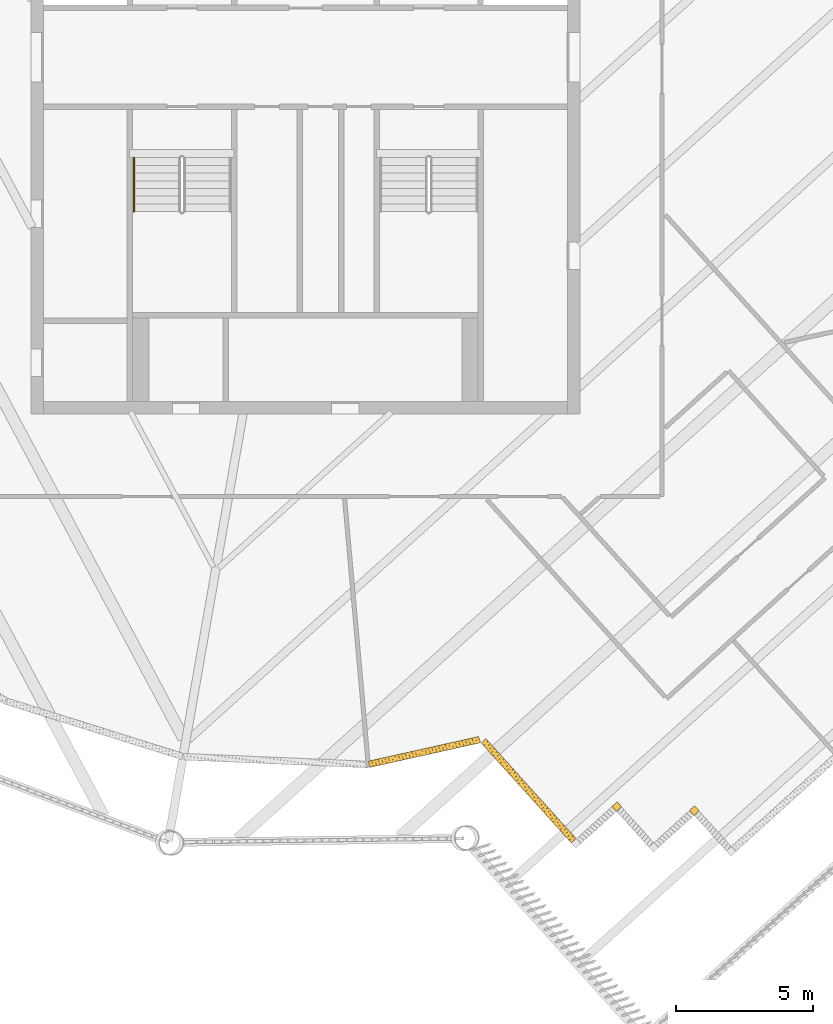
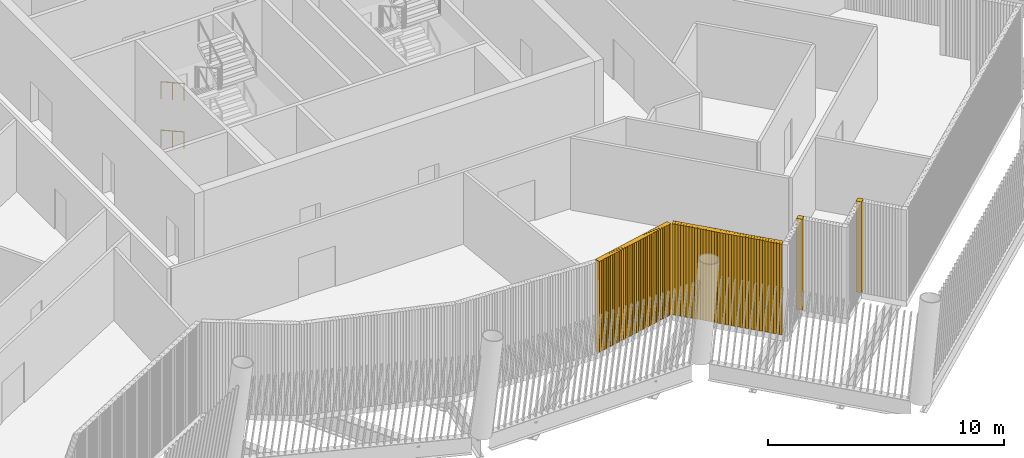
# One storey, part 12 of 21: 4 shading devices, 2 railings.
"""IFC4 building model written with IfcOpenShell, lengths in metres."""

from ifc_helpers import new_model, si_unit, direction, frame, frame_2d, origin, origin_2d, place, context, subcontext, project, spatial, rectangle, circle, composite_profile, extrude, material, type_object, element, save


model = new_model("IFC4")

# Units and contexts
model_context = context("Model", 3, precision=1e-05, world=origin(), true_north=direction((0.0, 1.0)))
body_context = subcontext(model_context, "Body", "Model", "MODEL_VIEW")
ifc_project = project(units=[si_unit("LENGTHUNIT", "METRE"), si_unit("AREAUNIT", "SQUARE_METRE"), si_unit("VOLUMEUNIT", "CUBIC_METRE"), si_unit("PLANEANGLEUNIT", "RADIAN"), si_unit("MASSUNIT", "GRAM", prefix="KILO")], contexts=[model_context])

# Site, building, storey
site_placement = place(None, origin())
site = spatial("IfcSite", under=ifc_project, at=site_placement, CompositionType="ELEMENT")
building_placement = place(site_placement, origin())
building = spatial("IfcBuilding", under=site, at=building_placement, Name="Tarsis Ring Headquarters", CompositionType="ELEMENT")
storey_placement = place(building_placement, frame((0.0, 0.0, 398.60009765625)))
storey = spatial("IfcBuildingStorey", under=building, at=storey_placement, Name="L94", CompositionType="ELEMENT", Elevation=398.60009765625)

# Railings
ifc_material_1 = material(Name="Steel S355", Category="steel")
railing_type = type_object("IfcRailingType", Name="Core stair handrail 900", PredefinedType="HANDRAIL", material=ifc_material_1)
for number, where, name in (
    (1, (-6.25, -3.659912109375, 0.15625), "L94 ST3 stair handrail 1"),
    (2, (-6.25, -3.659912109375, 2.65625), "L94 ST3 stair handrail 3"),
):
    element("IfcRailing", number, at=place(storey_placement, frame(where)), inside=storey, type_object=railing_type, Name=name, PredefinedType="HANDRAIL", context=body_context, shape_type="SweptSolid", body=[
        extrude(circle(Radius=0.02392578125, at=origin_2d()), frame((0.0, 0.0, 0.8759765625), z_axis=(0.0, -0.873257974695, 0.487258155017), x_axis=(1.0, 0.0, 0.0)), (0.0, 0.0, 1.0), 2.24462890625),
        extrude(circle(Radius=0.02099609375, at=origin_2d()), origin(), (0.0, 0.0, 1.0), 0.851806640625),
        extrude(circle(Radius=0.02099609375, at=origin_2d()), frame((0.0, -0.97998046875, 0.546875)), (0.0, 0.0, 1.0), 0.851806640625),
        extrude(circle(Radius=0.02099609375, at=origin_2d()), frame((0.0, -1.960205078125, 1.09375)), (0.0, 0.0, 1.0), 0.851806640625),
    ])

# Shading devices
ifc_material_2 = material(Name="Aluminium louvre", Category="aluminium")
shading_device_type_1 = type_object("IfcShadingDeviceType", Name="Plant louvre fin", PredefinedType="USERDEFINED", material=ifc_material_2)
shading_device_1_placement = place(storey_placement, frame((2.30712890625, -25.768798828125, 0.0), z_axis=(0.0, 0.0, 1.0), x_axis=(0.9759821481, 0.217804921017, 0.0)))
element("IfcShadingDevice", 3, at=shading_device_1_placement, inside=storey, type_object=shading_device_type_1, Name="Louvre L94-05", ObjectType="Louvre", PredefinedType="USERDEFINED", context=body_context, shape_type="SweptSolid", body=[
    extrude(composite_profile([rectangle(XDim=0.1201171875, YDim=0.239990234375, at=frame_2d((0.076171875, 0.0), x_axis=(0.990268068742, 0.13917310096))), rectangle(XDim=0.1201171875, YDim=0.239990234375, at=frame_2d((0.201416015625, 0.0), x_axis=(0.990268068742, 0.13917310096))), rectangle(XDim=0.1201171875, YDim=0.239990234375, at=frame_2d((0.326416015625, 0.0), x_axis=(0.990268068742, 0.13917310096))), rectangle(XDim=0.1201171875, YDim=0.239990234375, at=frame_2d((0.45166015625, 0.0), x_axis=(0.990268068742, 0.13917310096))), rectangle(XDim=0.1201171875, YDim=0.239990234375, at=frame_2d((0.576904296875, 0.0), x_axis=(0.990268068742, 0.13917310096))), rectangle(XDim=0.1201171875, YDim=0.239990234375, at=frame_2d((0.701904296875, 0.0), x_axis=(0.990268068742, 0.13917310096))), rectangle(XDim=0.1201171875, YDim=0.239990234375, at=frame_2d((0.8271484375, 0.0), x_axis=(0.990268068742, 0.13917310096))), rectangle(XDim=0.1201171875, YDim=0.239990234375, at=frame_2d((0.952392578125, 0.0), x_axis=(0.990268068742, 0.13917310096))), rectangle(XDim=0.1201171875, YDim=0.239990234375, at=frame_2d((1.077392578125, 0.0), x_axis=(0.990268068742, 0.13917310096))), rectangle(XDim=0.1201171875, YDim=0.239990234375, at=frame_2d((1.20263671875, 0.0), x_axis=(0.990268068742, 0.13917310096))), rectangle(XDim=0.1201171875, YDim=0.239990234375, at=frame_2d((1.327880859375, 0.0), x_axis=(0.990268068742, 0.13917310096))), rectangle(XDim=0.1201171875, YDim=0.239990234375, at=frame_2d((1.452880859375, 0.0), x_axis=(0.990268068742, 0.13917310096))), rectangle(XDim=0.1201171875, YDim=0.239990234375, at=frame_2d((1.578125, 0.0), x_axis=(0.990268068742, 0.13917310096))), rectangle(XDim=0.1201171875, YDim=0.239990234375, at=frame_2d((1.703369140625, 0.0), x_axis=(0.990268068742, 0.13917310096))), rectangle(XDim=0.1201171875, YDim=0.239990234375, at=frame_2d((1.828369140625, 0.0), x_axis=(0.990268068742, 0.13917310096))), rectangle(XDim=0.1201171875, YDim=0.239990234375, at=frame_2d((1.95361328125, 0.0), x_axis=(0.990268068742, 0.13917310096))), rectangle(XDim=0.1201171875, YDim=0.239990234375, at=frame_2d((2.07861328125, 0.0), x_axis=(0.990268068742, 0.13917310096))), rectangle(XDim=0.1201171875, YDim=0.239990234375, at=frame_2d((2.203857421875, 0.0), x_axis=(0.990268068742, 0.13917310096))), rectangle(XDim=0.1201171875, YDim=0.239990234375, at=frame_2d((2.3291015625, 0.0), x_axis=(0.990268068742, 0.13917310096))), rectangle(XDim=0.1201171875, YDim=0.239990234375, at=frame_2d((2.4541015625, 0.0), x_axis=(0.990268068742, 0.13917310096))), rectangle(XDim=0.1201171875, YDim=0.239990234375, at=frame_2d((2.579345703125, 0.0), x_axis=(0.990268068742, 0.13917310096))), rectangle(XDim=0.1201171875, YDim=0.239990234375, at=frame_2d((2.70458984375, 0.0), x_axis=(0.990268068742, 0.13917310096))), rectangle(XDim=0.1201171875, YDim=0.239990234375, at=frame_2d((2.82958984375, 0.0), x_axis=(0.990268068742, 0.13917310096))), rectangle(XDim=0.1201171875, YDim=0.239990234375, at=frame_2d((2.954833984375, 0.0), x_axis=(0.990268068742, 0.13917310096))), rectangle(XDim=0.1201171875, YDim=0.239990234375, at=frame_2d((3.080078125, 0.0), x_axis=(0.990268068742, 0.13917310096))), rectangle(XDim=0.1201171875, YDim=0.239990234375, at=frame_2d((3.205078125, 0.0), x_axis=(0.990268068742, 0.13917310096))), rectangle(XDim=0.1201171875, YDim=0.239990234375, at=frame_2d((3.330322265625, 0.0), x_axis=(0.990268068742, 0.13917310096))), rectangle(XDim=0.1201171875, YDim=0.239990234375, at=frame_2d((3.45556640625, 0.0), x_axis=(0.990268068742, 0.13917310096))), rectangle(XDim=0.1201171875, YDim=0.239990234375, at=frame_2d((3.58056640625, 0.0), x_axis=(0.990268068742, 0.13917310096))), rectangle(XDim=0.1201171875, YDim=0.239990234375, at=frame_2d((3.705810546875, 0.0), x_axis=(0.990268068742, 0.13917310096))), rectangle(XDim=0.1201171875, YDim=0.239990234375, at=frame_2d((3.8310546875, 0.0), x_axis=(0.990268068742, 0.13917310096))), rectangle(XDim=0.1201171875, YDim=0.239990234375, at=frame_2d((3.9560546875, 0.0), x_axis=(0.990268068742, 0.13917310096))), rectangle(XDim=0.1201171875, YDim=0.239990234375, at=frame_2d((4.081298828125, 0.0), x_axis=(0.990268068742, 0.13917310096)))]), origin(), (0.0, 0.0, 1.0), 4.699951171875),
])
shading_device_2_placement = place(storey_placement, frame((6.48486328125, -24.9013671875, 0.0), z_axis=(0.0, 0.0, 1.0), x_axis=(0.670188492063, -0.742212301587, 0.0)))
element("IfcShadingDevice", 4, at=shading_device_2_placement, inside=storey, type_object=shading_device_type_1, Name="Louvre L94-06", ObjectType="Louvre", PredefinedType="USERDEFINED", context=body_context, shape_type="SweptSolid", body=[
    extrude(composite_profile([rectangle(XDim=0.1201171875, YDim=0.239990234375, at=frame_2d((0.076171875, 0.0), x_axis=(0.990268068742, 0.13917310096))), rectangle(XDim=0.1201171875, YDim=0.239990234375, at=frame_2d((0.20166015625, 0.0), x_axis=(0.990268068742, 0.13917310096))), rectangle(XDim=0.1201171875, YDim=0.239990234375, at=frame_2d((0.3271484375, 0.0), x_axis=(0.990268068742, 0.13917310096))), rectangle(XDim=0.1201171875, YDim=0.239990234375, at=frame_2d((0.45263671875, 0.0), x_axis=(0.990268068742, 0.13917310096))), rectangle(XDim=0.1201171875, YDim=0.239990234375, at=frame_2d((0.578369140625, 0.0), x_axis=(0.990268068742, 0.13917310096))), rectangle(XDim=0.1201171875, YDim=0.239990234375, at=frame_2d((0.703857421875, 0.0), x_axis=(0.990268068742, 0.13917310096))), rectangle(XDim=0.1201171875, YDim=0.239990234375, at=frame_2d((0.829345703125, 0.0), x_axis=(0.990268068742, 0.13917310096))), rectangle(XDim=0.1201171875, YDim=0.239990234375, at=frame_2d((0.954833984375, 0.0), x_axis=(0.990268068742, 0.13917310096))), rectangle(XDim=0.1201171875, YDim=0.239990234375, at=frame_2d((1.080322265625, 0.0), x_axis=(0.990268068742, 0.13917310096))), rectangle(XDim=0.1201171875, YDim=0.239990234375, at=frame_2d((1.205810546875, 0.0), x_axis=(0.990268068742, 0.13917310096))), rectangle(XDim=0.1201171875, YDim=0.239990234375, at=frame_2d((1.331298828125, 0.0), x_axis=(0.990268068742, 0.13917310096))), rectangle(XDim=0.1201171875, YDim=0.239990234375, at=frame_2d((1.456787109375, 0.0), x_axis=(0.990268068742, 0.13917310096))), rectangle(XDim=0.1201171875, YDim=0.239990234375, at=frame_2d((1.58251953125, 0.0), x_axis=(0.990268068742, 0.13917310096))), rectangle(XDim=0.1201171875, YDim=0.239990234375, at=frame_2d((1.7080078125, 0.0), x_axis=(0.990268068742, 0.13917310096))), rectangle(XDim=0.1201171875, YDim=0.239990234375, at=frame_2d((1.83349609375, 0.0), x_axis=(0.990268068742, 0.13917310096))), rectangle(XDim=0.1201171875, YDim=0.239990234375, at=frame_2d((1.958984375, 0.0), x_axis=(0.990268068742, 0.13917310096))), rectangle(XDim=0.1201171875, YDim=0.239990234375, at=frame_2d((2.08447265625, 0.0), x_axis=(0.990268068742, 0.13917310096))), rectangle(XDim=0.1201171875, YDim=0.239990234375, at=frame_2d((2.2099609375, 0.0), x_axis=(0.990268068742, 0.13917310096))), rectangle(XDim=0.1201171875, YDim=0.239990234375, at=frame_2d((2.33544921875, 0.0), x_axis=(0.990268068742, 0.13917310096))), rectangle(XDim=0.1201171875, YDim=0.239990234375, at=frame_2d((2.461181640625, 0.0), x_axis=(0.990268068742, 0.13917310096))), rectangle(XDim=0.1201171875, YDim=0.239990234375, at=frame_2d((2.586669921875, 0.0), x_axis=(0.990268068742, 0.13917310096))), rectangle(XDim=0.1201171875, YDim=0.239990234375, at=frame_2d((2.712158203125, 0.0), x_axis=(0.990268068742, 0.13917310096))), rectangle(XDim=0.1201171875, YDim=0.239990234375, at=frame_2d((2.837646484375, 0.0), x_axis=(0.990268068742, 0.13917310096))), rectangle(XDim=0.1201171875, YDim=0.239990234375, at=frame_2d((2.963134765625, 0.0), x_axis=(0.990268068742, 0.13917310096))), rectangle(XDim=0.1201171875, YDim=0.239990234375, at=frame_2d((3.088623046875, 0.0), x_axis=(0.990268068742, 0.13917310096))), rectangle(XDim=0.1201171875, YDim=0.239990234375, at=frame_2d((3.214111328125, 0.0), x_axis=(0.990268068742, 0.13917310096))), rectangle(XDim=0.1201171875, YDim=0.239990234375, at=frame_2d((3.339599609375, 0.0), x_axis=(0.990268068742, 0.13917310096))), rectangle(XDim=0.1201171875, YDim=0.239990234375, at=frame_2d((3.46533203125, 0.0), x_axis=(0.990268068742, 0.13917310096))), rectangle(XDim=0.1201171875, YDim=0.239990234375, at=frame_2d((3.5908203125, 0.0), x_axis=(0.990268068742, 0.13917310096))), rectangle(XDim=0.1201171875, YDim=0.239990234375, at=frame_2d((3.71630859375, 0.0), x_axis=(0.990268068742, 0.13917310096))), rectangle(XDim=0.1201171875, YDim=0.239990234375, at=frame_2d((3.841796875, 0.0), x_axis=(0.990268068742, 0.13917310096))), rectangle(XDim=0.1201171875, YDim=0.239990234375, at=frame_2d((3.96728515625, 0.0), x_axis=(0.990268068742, 0.13917310096))), rectangle(XDim=0.1201171875, YDim=0.239990234375, at=frame_2d((4.0927734375, 0.0), x_axis=(0.990268068742, 0.13917310096))), rectangle(XDim=0.1201171875, YDim=0.239990234375, at=frame_2d((4.21826171875, 0.0), x_axis=(0.990268068742, 0.13917310096))), rectangle(XDim=0.1201171875, YDim=0.239990234375, at=frame_2d((4.34375, 0.0), x_axis=(0.990268068742, 0.13917310096))), rectangle(XDim=0.1201171875, YDim=0.239990234375, at=frame_2d((4.469482421875, 0.0), x_axis=(0.990268068742, 0.13917310096))), rectangle(XDim=0.1201171875, YDim=0.239990234375, at=frame_2d((4.594970703125, 0.0), x_axis=(0.990268068742, 0.13917310096))), rectangle(XDim=0.1201171875, YDim=0.239990234375, at=frame_2d((4.720458984375, 0.0), x_axis=(0.990268068742, 0.13917310096))), rectangle(XDim=0.1201171875, YDim=0.239990234375, at=frame_2d((4.845947265625, 0.0), x_axis=(0.990268068742, 0.13917310096)))]), origin(), (0.0, 0.0, 1.0), 4.699951171875),
])
ifc_material_3 = material(Name="Terracotta baguette", Category="masonry")
shading_device_type_2 = type_object("IfcShadingDeviceType", Name="Terracotta corner baguette 250x250", PredefinedType="USERDEFINED", material=ifc_material_3)
for number, where, z_axis, x_axis, name in (
    (5, (11.3515625, -27.306884765625, 0.0), (0.0, 0.0, 1.0), (0.742210193097, 0.670167165163, 0.0), "Corner baguette L94-08"),
    (6, (14.17626953125, -27.451171875, 0.0), (0.0, 0.0, 1.0), (0.742209690142, 0.670167722185, 0.0), "Corner baguette L94-10"),
):
    element("IfcShadingDevice", number, at=place(storey_placement, frame(where, z_axis=z_axis, x_axis=x_axis)), inside=storey, type_object=shading_device_type_2, Name=name, ObjectType="Terracotta corner baguette", PredefinedType="USERDEFINED", context=body_context, shape_type="SweptSolid", body=[
        extrude(rectangle(XDim=0.25, YDim=0.25, at=origin_2d()), origin(), (0.0, 0.0, 1.0), 4.699951171875),
    ])

save(model, "model.ifc")
